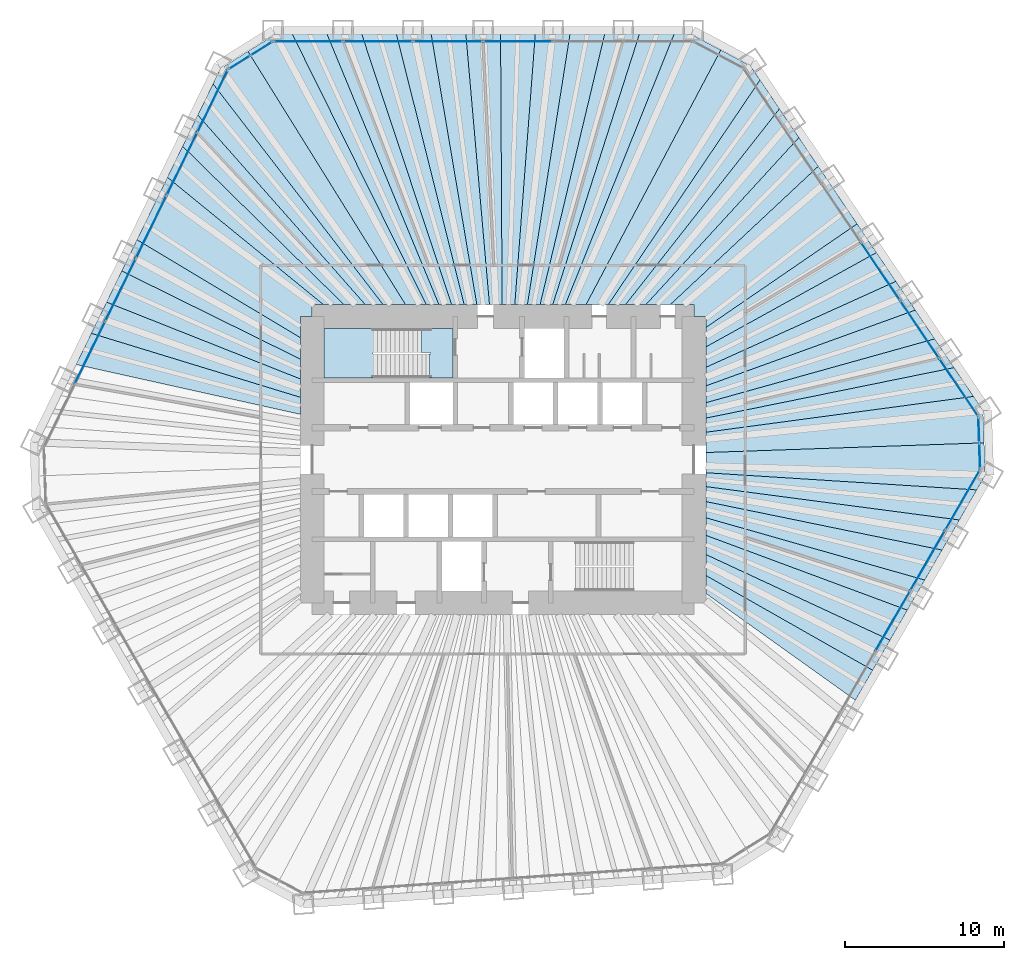
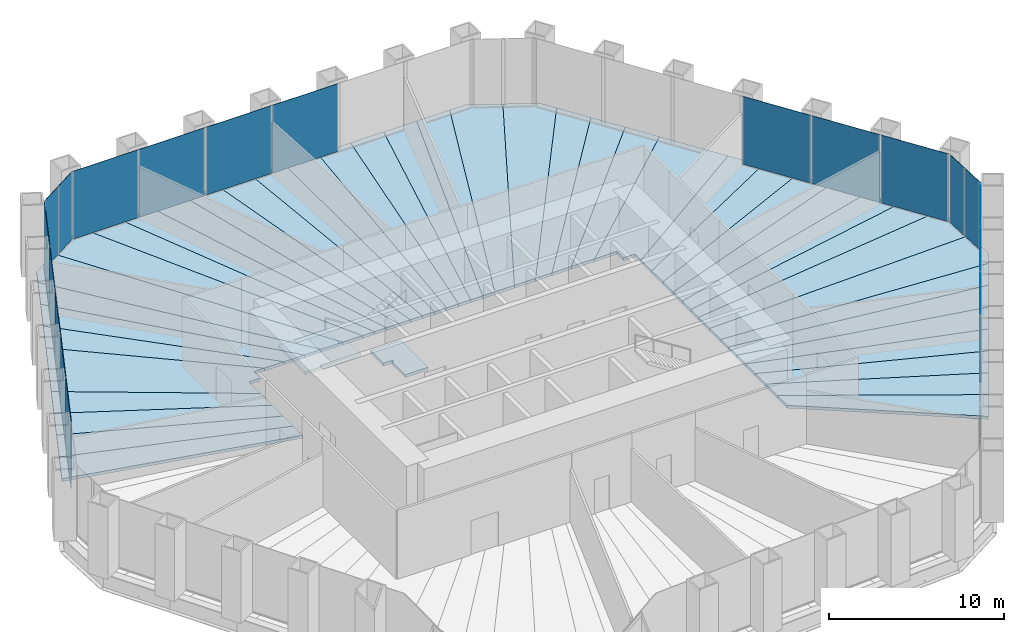
# One storey, part 9 of 13: 44 slabs, 19 plates, 7 elements without a shape of their own.
"""IFC4 building model written with IfcOpenShell, lengths in metres."""

from ifc_helpers import new_model, si_unit, direction, frame, origin, origin_2d, place, context, subcontext, project, spatial, polyline, rectangle, outline, extrude, material, layer, layer_set, type_object, element, aggregate, save


model = new_model("IFC4")

# Units and contexts
model_context = context("Model", 3, precision=1e-05, world=origin(), true_north=direction((0.0, 1.0)))
body_context = subcontext(model_context, "Body", "Model", "MODEL_VIEW")
ifc_project = project(units=[si_unit("LENGTHUNIT", "METRE"), si_unit("AREAUNIT", "SQUARE_METRE"), si_unit("VOLUMEUNIT", "CUBIC_METRE"), si_unit("PLANEANGLEUNIT", "RADIAN"), si_unit("MASSUNIT", "GRAM", prefix="KILO")], contexts=[model_context])

# Site, building, storey
site_placement = place(None, origin())
site = spatial("IfcSite", under=ifc_project, at=site_placement, CompositionType="ELEMENT")
building_placement = place(site_placement, origin())
building = spatial("IfcBuilding", under=site, at=building_placement, Name="Qingtian Harvest Tower", CompositionType="ELEMENT")
storey_placement = place(building_placement, frame((0.0, 0.0, 32.0)))
storey = spatial("IfcBuildingStorey", under=building, at=storey_placement, Name="L06", CompositionType="ELEMENT", Elevation=32.0)

# Slabs
ifc_material_1 = material(Name="Concrete fc' 35 MPa", Category="concrete")
ifc_layer_1 = layer(ifc_material_1, 0.199951171875)
ifc_layer_set_1 = layer_set([ifc_layer_1], Name="Composite floor slab FS20 200")
slab_type_1 = type_object("IfcSlabType", Name="Composite floor slab FS20 200", PredefinedType="FLOOR", material=ifc_layer_set_1)
slab_1_placement = place(storey_placement, frame((0.0, 0.0, -0.199951171875)))
element("IfcSlab", 1, at=slab_1_placement, inside=storey, type_object=slab_type_1, Name="Floor slab L06 panel D32", PredefinedType="FLOOR", context=body_context, shape_type="SweptSolid", body=[
    extrude(outline(polyline([(12.75, -7.279052734375), (23.247802734375, -13.243408203125), (22.159423828125, -15.128662109375), (12.75, -8.4091796875), (12.75, -7.279052734375)])), origin(), (0.0, 0.0, 1.0), 0.199951171875),
])
slab_2_placement = place(storey_placement, frame((0.0, 0.0, -0.199951171875)))
element("IfcSlab", 2, at=slab_2_placement, inside=storey, type_object=slab_type_1, Name="Floor slab L06 panel D33", PredefinedType="FLOOR", context=body_context, shape_type="SweptSolid", body=[
    extrude(outline(polyline([(12.75, -5.96142578125), (24.339111328125, -11.353515625), (23.247802734375, -13.243408203125), (12.75, -7.279052734375), (12.75, -5.96142578125)])), origin(), (0.0, 0.0, 1.0), 0.199951171875),
])
slab_3_placement = place(storey_placement, frame((0.0, 0.0, -0.199951171875)))
element("IfcSlab", 3, at=slab_3_placement, inside=storey, type_object=slab_type_1, Name="Floor slab L06 panel D34", PredefinedType="FLOOR", context=body_context, shape_type="SweptSolid", body=[
    extrude(outline(polyline([(12.75, -4.757080078125), (25.43017578125, -9.46337890625), (24.339111328125, -11.353515625), (12.75, -5.96142578125), (12.75, -4.757080078125)])), origin(), (0.0, 0.0, 1.0), 0.199951171875),
])
slab_4_placement = place(storey_placement, frame((0.0, 0.0, -0.199951171875)))
element("IfcSlab", 4, at=slab_4_placement, inside=storey, type_object=slab_type_1, Name="Floor slab L06 panel D35", PredefinedType="FLOOR", context=body_context, shape_type="SweptSolid", body=[
    extrude(outline(polyline([(12.75, -3.651611328125), (26.521484375, -7.573486328125), (25.43017578125, -9.46337890625), (12.75, -4.757080078125), (12.75, -3.651611328125)])), origin(), (0.0, 0.0, 1.0), 0.199951171875),
])
slab_5_placement = place(storey_placement, frame((0.0, 0.0, -0.199951171875)))
element("IfcSlab", 5, at=slab_5_placement, inside=storey, type_object=slab_type_1, Name="Floor slab L06 panel D36", PredefinedType="FLOOR", context=body_context, shape_type="SweptSolid", body=[
    extrude(outline(polyline([(12.75, -2.634033203125), (27.612548828125, -5.68359375), (26.521484375, -7.573486328125), (12.75, -3.651611328125), (12.75, -2.634033203125)])), origin(), (0.0, 0.0, 1.0), 0.199951171875),
])
slab_6_placement = place(storey_placement, frame((0.0, 0.0, -0.199951171875)))
element("IfcSlab", 6, at=slab_6_placement, inside=storey, type_object=slab_type_1, Name="Floor slab L06 panel D37", PredefinedType="FLOOR", context=body_context, shape_type="SweptSolid", body=[
    extrude(outline(polyline([(12.75, -1.693603515625), (28.703857421875, -3.793701171875), (27.612548828125, -5.68359375), (12.75, -2.634033203125), (12.75, -1.693603515625)])), origin(), (0.0, 0.0, 1.0), 0.199951171875),
])
slab_7_placement = place(storey_placement, frame((0.0, 0.0, -0.199951171875)))
element("IfcSlab", 7, at=slab_7_placement, inside=storey, type_object=slab_type_1, Name="Floor slab L06 panel D38", PredefinedType="FLOOR", context=body_context, shape_type="SweptSolid", body=[
    extrude(outline(polyline([(12.75, -0.822265625), (29.794921875, -1.903564453125), (28.703857421875, -3.793701171875), (12.75, -1.693603515625), (12.75, -0.822265625)])), origin(), (0.0, 0.0, 1.0), 0.199951171875),
])
slab_8_placement = place(storey_placement, frame((0.0, 0.0, -0.199951171875)))
element("IfcSlab", 8, at=slab_8_placement, inside=storey, type_object=slab_type_1, Name="Floor slab L06 panel D39", PredefinedType="FLOOR", context=body_context, shape_type="SweptSolid", body=[
    extrude(outline(polyline([(12.75, -0.822265625), (12.75, 0.447265625), (30.2587890625, 1.056640625), (30.32958984375, -0.9775390625), (29.794921875, -1.903564453125), (12.75, -0.822265625)])), origin(), (0.0, 0.0, 1.0), 0.199951171875),
])
slab_9_placement = place(storey_placement, frame((0.0, 0.0, -0.199951171875)))
element("IfcSlab", 9, at=slab_9_placement, inside=storey, type_object=slab_type_1, Name="Floor slab L06 panel D40", PredefinedType="FLOOR", context=body_context, shape_type="SweptSolid", body=[
    extrude(outline(polyline([(12.75, 0.447265625), (12.75, 1.72265625), (29.589599609375, 3.977294921875), (30.187744140625, 3.0908203125), (30.2587890625, 1.056640625), (12.75, 0.447265625)])), origin(), (0.0, 0.0, 1.0), 0.199951171875),
])
slab_10_placement = place(storey_placement, frame((0.0, 0.0, -0.199951171875)))
element("IfcSlab", 10, at=slab_10_placement, inside=storey, type_object=slab_type_1, Name="Floor slab L06 panel D41", PredefinedType="FLOOR", context=body_context, shape_type="SweptSolid", body=[
    extrude(outline(polyline([(12.75, 2.610595703125), (28.369140625, 5.78662109375), (29.589599609375, 3.977294921875), (12.75, 1.72265625), (12.75, 2.610595703125)])), origin(), (0.0, 0.0, 1.0), 0.199951171875),
])
slab_11_placement = place(storey_placement, frame((0.0, 0.0, -0.199951171875)))
element("IfcSlab", 11, at=slab_11_placement, inside=storey, type_object=slab_type_1, Name="Floor slab L06 panel D42", PredefinedType="FLOOR", context=body_context, shape_type="SweptSolid", body=[
    extrude(outline(polyline([(12.75, 3.57861328125), (27.14892578125, 7.595947265625), (28.369140625, 5.78662109375), (12.75, 2.610595703125), (12.75, 3.57861328125)])), origin(), (0.0, 0.0, 1.0), 0.199951171875),
])
slab_12_placement = place(storey_placement, frame((0.0, 0.0, -0.199951171875)))
element("IfcSlab", 12, at=slab_12_placement, inside=storey, type_object=slab_type_1, Name="Floor slab L06 panel D43", PredefinedType="FLOOR", context=body_context, shape_type="SweptSolid", body=[
    extrude(outline(polyline([(12.75, 4.6376953125), (25.928466796875, 9.405029296875), (27.14892578125, 7.595947265625), (12.75, 3.57861328125), (12.75, 4.6376953125)])), origin(), (0.0, 0.0, 1.0), 0.199951171875),
])
slab_13_placement = place(storey_placement, frame((0.0, 0.0, -0.199951171875)))
element("IfcSlab", 13, at=slab_13_placement, inside=storey, type_object=slab_type_1, Name="Floor slab L06 panel D44", PredefinedType="FLOOR", context=body_context, shape_type="SweptSolid", body=[
    extrude(outline(polyline([(12.75, 5.8017578125), (24.708251953125, 11.21435546875), (25.928466796875, 9.405029296875), (12.75, 4.6376953125), (12.75, 5.8017578125)])), origin(), (0.0, 0.0, 1.0), 0.199951171875),
])
slab_14_placement = place(storey_placement, frame((0.0, 0.0, -0.199951171875)))
element("IfcSlab", 14, at=slab_14_placement, inside=storey, type_object=slab_type_1, Name="Floor slab L06 panel D45", PredefinedType="FLOOR", context=body_context, shape_type="SweptSolid", body=[
    extrude(outline(polyline([(12.75, 7.087158203125), (23.48779296875, 13.023681640625), (24.708251953125, 11.21435546875), (12.75, 5.8017578125), (12.75, 7.087158203125)])), origin(), (0.0, 0.0, 1.0), 0.199951171875),
])
slab_15_placement = place(storey_placement, frame((0.0, 0.0, -0.199951171875)))
element("IfcSlab", 15, at=slab_15_placement, inside=storey, type_object=slab_type_1, Name="Floor slab L06 panel D46", PredefinedType="FLOOR", context=body_context, shape_type="SweptSolid", body=[
    extrude(outline(polyline([(12.75, 8.30615234375), (22.26953125, 14.829833984375), (23.48779296875, 13.023681640625), (12.75, 7.087158203125), (12.75, 8.30615234375)])), origin(), (0.0, 0.0, 1.0), 0.199951171875),
])
slab_16_placement = place(storey_placement, frame((0.0, 0.0, -0.199951171875)))
element("IfcSlab", 16, at=slab_16_placement, inside=storey, type_object=slab_type_1, Name="Floor slab L06 panel D48", PredefinedType="FLOOR", context=body_context, shape_type="SweptSolid", body=[
    extrude(outline(polyline([(19.8271484375, 18.45068359375), (22.26953125, 14.829833984375), (12.75, 8.30615234375), (12.75, 9.0), (12.0, 9.0), (12.0, 9.75), (10.51806640625, 9.75), (19.8271484375, 18.45068359375)])), origin(), (0.0, 0.0, 1.0), 0.199951171875),
])
slab_17_placement = place(storey_placement, frame((0.0, 0.0, -0.199951171875)))
element("IfcSlab", 17, at=slab_17_placement, inside=storey, type_object=slab_type_1, Name="Floor slab L06 panel D49", PredefinedType="FLOOR", context=body_context, shape_type="SweptSolid", body=[
    extrude(outline(polyline([(8.985107421875, 9.75), (18.60693359375, 20.260009765625), (19.8271484375, 18.45068359375), (10.51806640625, 9.75), (8.985107421875, 9.75)])), origin(), (0.0, 0.0, 1.0), 0.199951171875),
])
slab_18_placement = place(storey_placement, frame((0.0, 0.0, -0.199951171875)))
element("IfcSlab", 18, at=slab_18_placement, inside=storey, type_object=slab_type_1, Name="Floor slab L06 panel D50", PredefinedType="FLOOR", context=body_context, shape_type="SweptSolid", body=[
    extrude(outline(polyline([(7.705078125, 9.75), (17.386474609375, 22.0693359375), (18.60693359375, 20.260009765625), (8.985107421875, 9.75), (7.705078125, 9.75)])), origin(), (0.0, 0.0, 1.0), 0.199951171875),
])
slab_19_placement = place(storey_placement, frame((0.0, 0.0, -0.199951171875)))
element("IfcSlab", 19, at=slab_19_placement, inside=storey, type_object=slab_type_1, Name="Floor slab L06 panel D51", PredefinedType="FLOOR", context=body_context, shape_type="SweptSolid", body=[
    extrude(outline(polyline([(6.61962890625, 9.75), (16.166015625, 23.87841796875), (17.386474609375, 22.0693359375), (7.705078125, 9.75), (6.61962890625, 9.75)])), origin(), (0.0, 0.0, 1.0), 0.199951171875),
])
slab_20_placement = place(storey_placement, frame((0.0, 0.0, -0.199951171875)))
element("IfcSlab", 20, at=slab_20_placement, inside=storey, type_object=slab_type_1, Name="Floor slab L06 panel D52", PredefinedType="FLOOR", context=body_context, shape_type="SweptSolid", body=[
    extrude(outline(polyline([(6.61962890625, 9.75), (5.21875, 9.75), (13.697265625, 25.760009765625), (15.56787109375, 24.765380859375), (16.166015625, 23.87841796875), (6.61962890625, 9.75)])), origin(), (0.0, 0.0, 1.0), 0.199951171875),
])
slab_21_placement = place(storey_placement, frame((0.0, 0.0, -0.199951171875)))
element("IfcSlab", 21, at=slab_21_placement, inside=storey, type_object=slab_type_1, Name="Floor slab L06 panel D53", PredefinedType="FLOOR", context=body_context, shape_type="SweptSolid", body=[
    extrude(outline(polyline([(3.919921875, 9.75), (10.756591796875, 26.7548828125), (11.825927734375, 26.7548828125), (13.697265625, 25.760009765625), (5.21875, 9.75), (3.919921875, 9.75)])), origin(), (0.0, 0.0, 1.0), 0.199951171875),
])
slab_22_placement = place(storey_placement, frame((0.0, 0.0, -0.199951171875)))
element("IfcSlab", 22, at=slab_22_placement, inside=storey, type_object=slab_type_1, Name="Floor slab L06 panel D54", PredefinedType="FLOOR", context=body_context, shape_type="SweptSolid", body=[
    extrude(outline(polyline([(3.12451171875, 9.75), (8.57421875, 26.7548828125), (10.756591796875, 26.7548828125), (3.919921875, 9.75), (3.12451171875, 9.75)])), origin(), (0.0, 0.0, 1.0), 0.199951171875),
])
slab_23_placement = place(storey_placement, frame((0.0, 0.0, -0.199951171875)))
element("IfcSlab", 23, at=slab_23_placement, inside=storey, type_object=slab_type_1, Name="Floor slab L06 panel D55", PredefinedType="FLOOR", context=body_context, shape_type="SweptSolid", body=[
    extrude(outline(polyline([(2.329345703125, 9.75), (6.391845703125, 26.7548828125), (8.57421875, 26.7548828125), (3.12451171875, 9.75), (2.329345703125, 9.75)])), origin(), (0.0, 0.0, 1.0), 0.199951171875),
])
slab_24_placement = place(storey_placement, frame((0.0, 0.0, -0.199951171875)))
element("IfcSlab", 24, at=slab_24_placement, inside=storey, type_object=slab_type_1, Name="Floor slab L06 panel D56", PredefinedType="FLOOR", context=body_context, shape_type="SweptSolid", body=[
    extrude(outline(polyline([(1.533935546875, 9.75), (4.20947265625, 26.7548828125), (6.391845703125, 26.7548828125), (2.329345703125, 9.75), (1.533935546875, 9.75)])), origin(), (0.0, 0.0, 1.0), 0.199951171875),
])
slab_25_placement = place(storey_placement, frame((0.0, 0.0, -0.199951171875)))
element("IfcSlab", 25, at=slab_25_placement, inside=storey, type_object=slab_type_1, Name="Floor slab L06 panel D57", PredefinedType="FLOOR", context=body_context, shape_type="SweptSolid", body=[
    extrude(outline(polyline([(0.73876953125, 9.75), (2.02734375, 26.7548828125), (4.20947265625, 26.7548828125), (1.533935546875, 9.75), (0.73876953125, 9.75)])), origin(), (0.0, 0.0, 1.0), 0.199951171875),
])
slab_26_placement = place(storey_placement, frame((0.0, 0.0, -0.199951171875)))
element("IfcSlab", 26, at=slab_26_placement, inside=storey, type_object=slab_type_1, Name="Floor slab L06 panel D58", PredefinedType="FLOOR", context=body_context, shape_type="SweptSolid", body=[
    extrude(outline(polyline([(-0.056396484375, 9.75), (-0.155029296875, 26.7548828125), (2.02734375, 26.7548828125), (0.73876953125, 9.75), (-0.056396484375, 9.75)])), origin(), (0.0, 0.0, 1.0), 0.199951171875),
])
slab_27_placement = place(storey_placement, frame((0.0, 0.0, -0.199951171875)))
element("IfcSlab", 27, at=slab_27_placement, inside=storey, type_object=slab_type_1, Name="Floor slab L06 panel D59", PredefinedType="FLOOR", context=body_context, shape_type="SweptSolid", body=[
    extrude(outline(polyline([(-0.851806640625, 9.75), (-2.33740234375, 26.7548828125), (-0.155029296875, 26.7548828125), (-0.056396484375, 9.75), (-0.851806640625, 9.75)])), origin(), (0.0, 0.0, 1.0), 0.199951171875),
])
slab_28_placement = place(storey_placement, frame((0.0, 0.0, -0.199951171875)))
element("IfcSlab", 28, at=slab_28_placement, inside=storey, type_object=slab_type_1, Name="Floor slab L06 panel D60", PredefinedType="FLOOR", context=body_context, shape_type="SweptSolid", body=[
    extrude(outline(polyline([(-1.64697265625, 9.75), (-4.519775390625, 26.7548828125), (-2.33740234375, 26.7548828125), (-0.851806640625, 9.75), (-1.64697265625, 9.75)])), origin(), (0.0, 0.0, 1.0), 0.199951171875),
])
slab_29_placement = place(storey_placement, frame((0.0, 0.0, -0.199951171875)))
element("IfcSlab", 29, at=slab_29_placement, inside=storey, type_object=slab_type_1, Name="Floor slab L06 panel D61", PredefinedType="FLOOR", context=body_context, shape_type="SweptSolid", body=[
    extrude(outline(polyline([(-2.4423828125, 9.75), (-6.7021484375, 26.7548828125), (-4.519775390625, 26.7548828125), (-1.64697265625, 9.75), (-2.4423828125, 9.75)])), origin(), (0.0, 0.0, 1.0), 0.199951171875),
])
slab_30_placement = place(storey_placement, frame((0.0, 0.0, -0.199951171875)))
element("IfcSlab", 30, at=slab_30_placement, inside=storey, type_object=slab_type_1, Name="Floor slab L06 panel D62", PredefinedType="FLOOR", context=body_context, shape_type="SweptSolid", body=[
    extrude(outline(polyline([(-3.237548828125, 9.75), (-8.88427734375, 26.7548828125), (-6.7021484375, 26.7548828125), (-2.4423828125, 9.75), (-3.237548828125, 9.75)])), origin(), (0.0, 0.0, 1.0), 0.199951171875),
])
slab_31_placement = place(storey_placement, frame((0.0, 0.0, -0.199951171875)))
element("IfcSlab", 31, at=slab_31_placement, inside=storey, type_object=slab_type_1, Name="Floor slab L06 panel D63", PredefinedType="FLOOR", context=body_context, shape_type="SweptSolid", body=[
    extrude(outline(polyline([(-4.032958984375, 9.75), (-11.066650390625, 26.7548828125), (-8.88427734375, 26.7548828125), (-3.237548828125, 9.75), (-4.032958984375, 9.75)])), origin(), (0.0, 0.0, 1.0), 0.199951171875),
])
slab_32_placement = place(storey_placement, frame((0.0, 0.0, -0.199951171875)))
element("IfcSlab", 32, at=slab_32_placement, inside=storey, type_object=slab_type_1, Name="Floor slab L06 panel D64", PredefinedType="FLOOR", context=body_context, shape_type="SweptSolid", body=[
    extrude(outline(polyline([(-4.828125, 9.75), (-13.2490234375, 26.7548828125), (-11.066650390625, 26.7548828125), (-4.032958984375, 9.75), (-4.828125, 9.75)])), origin(), (0.0, 0.0, 1.0), 0.199951171875),
])
slab_33_placement = place(storey_placement, frame((0.0, 0.0, -0.199951171875)))
element("IfcSlab", 33, at=slab_33_placement, inside=storey, type_object=slab_type_1, Name="Floor slab L06 panel D65", PredefinedType="FLOOR", context=body_context, shape_type="SweptSolid", body=[
    extrude(outline(polyline([(-4.828125, 9.75), (-6.130126953125, 9.75), (-16.044921875, 25.67626953125), (-14.318359375, 26.7548828125), (-13.2490234375, 26.7548828125), (-4.828125, 9.75)])), origin(), (0.0, 0.0, 1.0), 0.199951171875),
])
slab_34_placement = place(storey_placement, frame((0.0, 0.0, -0.199951171875)))
element("IfcSlab", 34, at=slab_34_placement, inside=storey, type_object=slab_type_1, Name="Floor slab L06 panel D66", PredefinedType="FLOOR", context=body_context, shape_type="SweptSolid", body=[
    extrude(outline(polyline([(-6.130126953125, 9.75), (-7.544677734375, 9.75), (-18.239501953125, 23.636474609375), (-17.7705078125, 24.597900390625), (-16.044921875, 25.67626953125), (-6.130126953125, 9.75)])), origin(), (0.0, 0.0, 1.0), 0.199951171875),
])
slab_35_placement = place(storey_placement, frame((0.0, 0.0, -0.199951171875)))
element("IfcSlab", 35, at=slab_35_placement, inside=storey, type_object=slab_type_1, Name="Floor slab L06 panel D67", PredefinedType="FLOOR", context=body_context, shape_type="SweptSolid", body=[
    extrude(outline(polyline([(-8.662109375, 9.75), (-19.196044921875, 21.675048828125), (-18.239501953125, 23.636474609375), (-7.544677734375, 9.75), (-8.662109375, 9.75)])), origin(), (0.0, 0.0, 1.0), 0.199951171875),
])
slab_36_placement = place(storey_placement, frame((0.0, 0.0, -0.199951171875)))
element("IfcSlab", 36, at=slab_36_placement, inside=storey, type_object=slab_type_1, Name="Floor slab L06 panel D68", PredefinedType="FLOOR", context=body_context, shape_type="SweptSolid", body=[
    extrude(outline(polyline([(-10.00341796875, 9.75), (-20.15283203125, 19.71337890625), (-19.196044921875, 21.675048828125), (-8.662109375, 9.75), (-10.00341796875, 9.75)])), origin(), (0.0, 0.0, 1.0), 0.199951171875),
])
slab_37_placement = place(storey_placement, frame((0.0, 0.0, -0.199951171875)))
element("IfcSlab", 37, at=slab_37_placement, inside=storey, type_object=slab_type_1, Name="Floor slab L06 panel D69", PredefinedType="FLOOR", context=body_context, shape_type="SweptSolid", body=[
    extrude(outline(polyline([(-11.2939453125, 9.75), (-21.107666015625, 17.755859375), (-20.15283203125, 19.71337890625), (-10.00341796875, 9.75), (-11.2939453125, 9.75)])), origin(), (0.0, 0.0, 1.0), 0.199951171875),
])
slab_38_placement = place(storey_placement, frame((0.0, 0.0, -0.199951171875)))
element("IfcSlab", 38, at=slab_38_placement, inside=storey, type_object=slab_type_1, Name="Floor slab L06 panel D70", PredefinedType="FLOOR", context=body_context, shape_type="SweptSolid", body=[
    extrude(outline(polyline([(-12.0, 9.0), (-12.75, 9.0), (-12.75, 7.67333984375), (-23.0224609375, 13.82958984375), (-21.107666015625, 17.755859375), (-11.2939453125, 9.75), (-12.0, 9.75), (-12.0, 9.0)])), origin(), (0.0, 0.0, 1.0), 0.199951171875),
])
slab_39_placement = place(storey_placement, frame((0.0, 0.0, -0.199951171875)))
element("IfcSlab", 39, at=slab_39_placement, inside=storey, type_object=slab_type_1, Name="Floor slab L06 panel D72", PredefinedType="FLOOR", context=body_context, shape_type="SweptSolid", body=[
    extrude(outline(polyline([(-12.75, 6.3232421875), (-23.979248046875, 11.8681640625), (-23.0224609375, 13.82958984375), (-12.75, 7.67333984375), (-12.75, 6.3232421875)])), origin(), (0.0, 0.0, 1.0), 0.199951171875),
])
slab_40_placement = place(storey_placement, frame((0.0, 0.0, -0.199951171875)))
element("IfcSlab", 40, at=slab_40_placement, inside=storey, type_object=slab_type_1, Name="Floor slab L06 panel D73", PredefinedType="FLOOR", context=body_context, shape_type="SweptSolid", body=[
    extrude(outline(polyline([(-12.75, 5.076904296875), (-24.935791015625, 9.90673828125), (-23.979248046875, 11.8681640625), (-12.75, 6.3232421875), (-12.75, 5.076904296875)])), origin(), (0.0, 0.0, 1.0), 0.199951171875),
])
slab_41_placement = place(storey_placement, frame((0.0, 0.0, -0.199951171875)))
element("IfcSlab", 41, at=slab_41_placement, inside=storey, type_object=slab_type_1, Name="Floor slab L06 panel D74", PredefinedType="FLOOR", context=body_context, shape_type="SweptSolid", body=[
    extrude(outline(polyline([(-12.75, 3.922607421875), (-25.892578125, 7.9453125), (-24.935791015625, 9.90673828125), (-12.75, 5.076904296875), (-12.75, 3.922607421875)])), origin(), (0.0, 0.0, 1.0), 0.199951171875),
])
slab_42_placement = place(storey_placement, frame((0.0, 0.0, -0.199951171875)))
element("IfcSlab", 42, at=slab_42_placement, inside=storey, type_object=slab_type_1, Name="Floor slab L06 panel D75", PredefinedType="FLOOR", context=body_context, shape_type="SweptSolid", body=[
    extrude(outline(polyline([(-12.75, 2.8505859375), (-26.84912109375, 5.98388671875), (-25.892578125, 7.9453125), (-12.75, 3.922607421875), (-12.75, 2.8505859375)])), origin(), (0.0, 0.0, 1.0), 0.199951171875),
])

# Curtain wall, plates
ifc_material_2 = material(Name="Bronze-anodised aluminium curtain wall", Category="aluminium")
curtain_wall_type = type_object("IfcCurtainWallType", Name="Curtain wall CW2 farm reception", PredefinedType="USERDEFINED", material=ifc_material_2)
curtain_wall_1_placement = place(storey_placement, origin())
curtain_wall_1 = element("IfcCurtainWall", 43, at=curtain_wall_1_placement, inside=storey, type_object=curtain_wall_type, Name="Curtain wall CW2 L06 N0-5", ObjectType="RECESSED CURTAIN WALL", PredefinedType="USERDEFINED")
ifc_material_3 = material(Name="Bronze-tinted laminated insulating glass", Category="glass")
ifc_layer_2 = layer(ifc_material_3, 0.030029296875)
ifc_layer_set_2 = layer_set([ifc_layer_2], Name="Glazed panel CWP tinted IGU")
plate_type = type_object("IfcPlateType", Name="Glazed panel CWP tinted IGU", PredefinedType="CURTAIN_PANEL", material=ifc_layer_set_2)
plate_1_placement = place(storey_placement, frame((-12.2529296875, 26.300048828125, 0.06494140625), z_axis=(0.0, 0.0, 1.0), x_axis=(1.0, 0.0, 0.0)))
plate_1 = element("IfcPlate", 44, at=plate_1_placement, type_object=plate_type, Name="CW2 panel 1.1", PredefinedType="CURTAIN_PANEL", context=body_context, shape_type="SweptSolid", body=[
    extrude(rectangle(XDim=4.30712890625, YDim=0.030029296875, at=origin_2d()), origin(), (0.0, 0.0, 1.0), 4.735107421875),
])
plate_2_placement = place(storey_placement, frame((-7.864501953125, 26.300048828125, 0.06494140625), z_axis=(0.0, 0.0, 1.0), x_axis=(1.0, 0.0, 0.0)))
plate_2 = element("IfcPlate", 45, at=plate_2_placement, type_object=plate_type, Name="CW2 panel 2.1", PredefinedType="CURTAIN_PANEL", context=body_context, shape_type="SweptSolid", body=[
    extrude(rectangle(XDim=4.339599609375, YDim=0.030029296875, at=origin_2d()), origin(), (0.0, 0.0, 1.0), 4.735107421875),
])
plate_3_placement = place(storey_placement, frame((-3.4599609375, 26.300048828125, 0.06494140625), z_axis=(0.0, 0.0, 1.0), x_axis=(1.0, 0.0, 0.0)))
plate_3 = element("IfcPlate", 46, at=plate_3_placement, type_object=plate_type, Name="CW2 panel 3.1", PredefinedType="CURTAIN_PANEL", context=body_context, shape_type="SweptSolid", body=[
    extrude(rectangle(XDim=4.339599609375, YDim=0.030029296875, at=origin_2d()), origin(), (0.0, 0.0, 1.0), 4.735107421875),
])
plate_4_placement = place(storey_placement, frame((0.944580078125, 26.300048828125, 0.06494140625), z_axis=(0.0, 0.0, 1.0), x_axis=(1.0, 0.0, 0.0)))
plate_4 = element("IfcPlate", 47, at=plate_4_placement, type_object=plate_type, Name="CW2 panel 4.1", PredefinedType="CURTAIN_PANEL", context=body_context, shape_type="SweptSolid", body=[
    extrude(rectangle(XDim=4.339599609375, YDim=0.030029296875, at=origin_2d()), origin(), (0.0, 0.0, 1.0), 4.735107421875),
])
aggregate(curtain_wall_1, [plate_1, plate_2, plate_3, plate_4])

curtain_wall_2_placement = place(storey_placement, origin())
curtain_wall_2 = element("IfcCurtainWall", 48, at=curtain_wall_2_placement, inside=storey, type_object=curtain_wall_type, Name="Curtain wall CW2 L06 NE0-5", ObjectType="RECESSED CURTAIN WALL", PredefinedType="USERDEFINED")
plate_5_placement = place(storey_placement, frame((23.738525390625, 11.83837890625, 0.06494140625), z_axis=(0.0, 0.0, 1.0), x_axis=(0.559192903471, -0.829037572555, 0.0)))
plate_5 = element("IfcPlate", 49, at=plate_5_placement, type_object=plate_type, Name="CW2 panel 4.1", PredefinedType="CURTAIN_PANEL", context=body_context, shape_type="SweptSolid", body=[
    extrude(rectangle(XDim=4.339599609375, YDim=0.030029296875, at=origin_2d()), origin(), (0.0, 0.0, 1.0), 4.735107421875),
])
plate_6_placement = place(storey_placement, frame((26.201416015625, 8.186767578125, 0.06494140625), z_axis=(0.0, 0.0, 1.0), x_axis=(0.559192903471, -0.829037572555, 0.0)))
plate_6 = element("IfcPlate", 50, at=plate_6_placement, type_object=plate_type, Name="CW2 panel 5.1", PredefinedType="CURTAIN_PANEL", context=body_context, shape_type="SweptSolid", body=[
    extrude(rectangle(XDim=4.339599609375, YDim=0.030029296875, at=origin_2d()), origin(), (0.0, 0.0, 1.0), 4.735107421875),
])
plate_7_placement = place(storey_placement, frame((28.655517578125, 4.548583984375, 0.06494140625), z_axis=(0.0, 0.0, 1.0), x_axis=(0.559192903471, -0.829037572555, 0.0)))
plate_7 = element("IfcPlate", 51, at=plate_7_placement, type_object=plate_type, Name="CW2 panel 6.1", PredefinedType="CURTAIN_PANEL", context=body_context, shape_type="SweptSolid", body=[
    extrude(rectangle(XDim=4.30712890625, YDim=0.030029296875, at=origin_2d()), origin(), (0.0, 0.0, 1.0), 4.735107421875),
])
aggregate(curtain_wall_2, [plate_5, plate_6, plate_7])

curtain_wall_3_placement = place(storey_placement, origin())
curtain_wall_3 = element("IfcCurtainWall", 52, at=curtain_wall_3_placement, inside=storey, type_object=curtain_wall_type, Name="Curtain wall CW2 L06 NEC", ObjectType="RECESSED CURTAIN WALL", PredefinedType="USERDEFINED")
plate_8_placement = place(storey_placement, frame((29.925537109375, 1.861572265625, 0.06494140625), z_axis=(0.0, 0.0, 1.0), x_axis=(0.034899496703, -0.999390827019, 0.0)))
plate_8 = element("IfcPlate", 53, at=plate_8_placement, type_object=plate_type, Name="CW2 panel 1.1", PredefinedType="CURTAIN_PANEL", context=body_context, shape_type="SweptSolid", body=[
    extrude(rectangle(XDim=1.56689453125, YDim=0.030029296875, at=origin_2d()), origin(), (0.0, 0.0, 1.0), 4.735107421875),
])
plate_9_placement = place(storey_placement, frame((29.982666015625, 0.23046875, 0.06494140625), z_axis=(0.0, 0.0, 1.0), x_axis=(0.034899496703, -0.999390827019, 0.0)))
plate_9 = element("IfcPlate", 54, at=plate_9_placement, type_object=plate_type, Name="CW2 panel 2.1", PredefinedType="CURTAIN_PANEL", context=body_context, shape_type="SweptSolid", body=[
    extrude(rectangle(XDim=1.56689453125, YDim=0.030029296875, at=origin_2d()), origin(), (0.0, 0.0, 1.0), 4.735107421875),
])
aggregate(curtain_wall_3, [plate_8, plate_9])

curtain_wall_4_placement = place(storey_placement, origin())
curtain_wall_4 = element("IfcCurtainWall", 55, at=curtain_wall_4_placement, inside=storey, type_object=curtain_wall_type, Name="Curtain wall CW2 L06 SE0-5", ObjectType="RECESSED CURTAIN WALL", PredefinedType="USERDEFINED")
plate_10_placement = place(storey_placement, frame((28.90283203125, -2.53857421875, 0.06494140625), z_axis=(0.0, 0.0, 1.0), x_axis=(-0.5, -0.866025403784, 0.0)))
plate_10 = element("IfcPlate", 56, at=plate_10_placement, type_object=plate_type, Name="CW2 panel 1.1", PredefinedType="CURTAIN_PANEL", context=body_context, shape_type="SweptSolid", body=[
    extrude(rectangle(XDim=4.30712890625, YDim=0.030029296875, at=origin_2d()), origin(), (0.0, 0.0, 1.0), 4.735107421875),
])
plate_11_placement = place(storey_placement, frame((26.708740234375, -6.339111328125, 0.06494140625), z_axis=(0.0, 0.0, 1.0), x_axis=(-0.5, -0.866025403784, 0.0)))
plate_11 = element("IfcPlate", 57, at=plate_11_placement, type_object=plate_type, Name="CW2 panel 2.1", PredefinedType="CURTAIN_PANEL", context=body_context, shape_type="SweptSolid", body=[
    extrude(rectangle(XDim=4.339599609375, YDim=0.030029296875, at=origin_2d()), origin(), (0.0, 0.0, 1.0), 4.735107421875),
])
plate_12_placement = place(storey_placement, frame((24.50634765625, -10.153564453125, 0.06494140625), z_axis=(0.0, 0.0, 1.0), x_axis=(-0.5, -0.866025403784, 0.0)))
plate_12 = element("IfcPlate", 58, at=plate_12_placement, type_object=plate_type, Name="CW2 panel 3.1", PredefinedType="CURTAIN_PANEL", context=body_context, shape_type="SweptSolid", body=[
    extrude(rectangle(XDim=4.339599609375, YDim=0.030029296875, at=origin_2d()), origin(), (0.0, 0.0, 1.0), 4.735107421875),
])
aggregate(curtain_wall_4, [plate_10, plate_11, plate_12])

curtain_wall_5_placement = place(storey_placement, origin())
curtain_wall_5 = element("IfcCurtainWall", 59, at=curtain_wall_5_placement, inside=storey, type_object=curtain_wall_type, Name="Curtain wall CW2 L06 NW0-5", ObjectType="RECESSED CURTAIN WALL", PredefinedType="USERDEFINED")
plate_13_placement = place(storey_placement, frame((-25.983154296875, 6.72119140625, 0.06494140625), z_axis=(0.0, 0.0, 1.0), x_axis=(0.438371146789, 0.898794046299, 0.0)))
plate_13 = element("IfcPlate", 60, at=plate_13_placement, type_object=plate_type, Name="CW2 panel 2.1", PredefinedType="CURTAIN_PANEL", context=body_context, shape_type="SweptSolid", body=[
    extrude(rectangle(XDim=4.339599609375, YDim=0.030029296875, at=origin_2d()), origin(), (0.0, 0.0, 1.0), 4.735107421875),
])
plate_14_placement = place(storey_placement, frame((-24.052490234375, 10.68017578125, 0.06494140625), z_axis=(0.0, 0.0, 1.0), x_axis=(0.438371146789, 0.898794046299, 0.0)))
plate_14 = element("IfcPlate", 61, at=plate_14_placement, type_object=plate_type, Name="CW2 panel 3.1", PredefinedType="CURTAIN_PANEL", context=body_context, shape_type="SweptSolid", body=[
    extrude(rectangle(XDim=4.339599609375, YDim=0.030029296875, at=origin_2d()), origin(), (0.0, 0.0, 1.0), 4.735107421875),
])
plate_15_placement = place(storey_placement, frame((-22.12158203125, 14.638916015625, 0.06494140625), z_axis=(0.0, 0.0, 1.0), x_axis=(0.438371146789, 0.898794046299, 0.0)))
plate_15 = element("IfcPlate", 62, at=plate_15_placement, type_object=plate_type, Name="CW2 panel 4.1", PredefinedType="CURTAIN_PANEL", context=body_context, shape_type="SweptSolid", body=[
    extrude(rectangle(XDim=4.339599609375, YDim=0.030029296875, at=origin_2d()), origin(), (0.0, 0.0, 1.0), 4.735107421875),
])
plate_16_placement = place(storey_placement, frame((-20.190673828125, 18.597900390625, 0.06494140625), z_axis=(0.0, 0.0, 1.0), x_axis=(0.438371146789, 0.898794046299, 0.0)))
plate_16 = element("IfcPlate", 63, at=plate_16_placement, type_object=plate_type, Name="CW2 panel 5.1", PredefinedType="CURTAIN_PANEL", context=body_context, shape_type="SweptSolid", body=[
    extrude(rectangle(XDim=4.339599609375, YDim=0.030029296875, at=origin_2d()), origin(), (0.0, 0.0, 1.0), 4.735107421875),
])
plate_17_placement = place(storey_placement, frame((-18.266845703125, 22.5419921875, 0.06494140625), z_axis=(0.0, 0.0, 1.0), x_axis=(0.438371146789, 0.898794046299, 0.0)))
plate_17 = element("IfcPlate", 64, at=plate_17_placement, type_object=plate_type, Name="CW2 panel 6.1", PredefinedType="CURTAIN_PANEL", context=body_context, shape_type="SweptSolid", body=[
    extrude(rectangle(XDim=4.30712890625, YDim=0.030029296875, at=origin_2d()), origin(), (0.0, 0.0, 1.0), 4.735107421875),
])
aggregate(curtain_wall_5, [plate_13, plate_14, plate_15, plate_16, plate_17])

curtain_wall_6_placement = place(storey_placement, origin())
curtain_wall_6 = element("IfcCurtainWall", 65, at=curtain_wall_6_placement, inside=storey, type_object=curtain_wall_type, Name="Curtain wall CW2 L06 NWC", ObjectType="RECESSED CURTAIN WALL", PredefinedType="USERDEFINED")
plate_18_placement = place(storey_placement, frame((-16.574951171875, 24.985595703125, 0.06494140625), z_axis=(0.0, 0.0, 1.0), x_axis=(0.848048096156, 0.529919264233, 0.0)))
plate_18 = element("IfcPlate", 66, at=plate_18_placement, type_object=plate_type, Name="CW2 panel 1.1", PredefinedType="CURTAIN_PANEL", context=body_context, shape_type="SweptSolid", body=[
    extrude(rectangle(XDim=1.56689453125, YDim=0.030029296875, at=origin_2d()), origin(), (0.0, 0.0, 1.0), 4.735107421875),
])
plate_19_placement = place(storey_placement, frame((-15.19091796875, 25.850341796875, 0.06494140625), z_axis=(0.0, 0.0, 1.0), x_axis=(0.848048096156, 0.529919264233, 0.0)))
plate_19 = element("IfcPlate", 67, at=plate_19_placement, type_object=plate_type, Name="CW2 panel 2.1", PredefinedType="CURTAIN_PANEL", context=body_context, shape_type="SweptSolid", body=[
    extrude(rectangle(XDim=1.56689453125, YDim=0.030029296875, at=origin_2d()), origin(), (0.0, 0.0, 1.0), 4.735107421875),
])
aggregate(curtain_wall_6, [plate_18, plate_19])

# Stair, slabs
ifc_material_4 = material(Name="Concrete fc' 35 MPa", Category="concrete")
stair_type = type_object("IfcStairType", Name="Special stair ST2 5000", PredefinedType="HALF_TURN_STAIR", material=ifc_material_4)
stair_placement = place(storey_placement, origin())
stair = element("IfcStair", 68, at=stair_placement, inside=storey, type_object=stair_type, Name="Special stair S1 L06", PredefinedType="HALF_TURN_STAIR")
ifc_material_5 = material(Name="Concrete fc' 35 MPa", Category="concrete")
ifc_layer_3 = layer(ifc_material_5, 0.199951171875)
ifc_layer_set_3 = layer_set([ifc_layer_3], Name="Stair landing SL2 200")
slab_type_2 = type_object("IfcSlabType", Name="Stair landing SL2 200", PredefinedType="LANDING", material=ifc_layer_set_3)
slab_43_placement = place(storey_placement, frame((0.0, 0.0, -0.199951171875)))
slab_43 = element("IfcSlab", 69, at=slab_43_placement, type_object=slab_type_2, Name="S1 landing 1", PredefinedType="LANDING", context=body_context, shape_type="SweptSolid", body=[
    extrude(outline(polyline([(-4.64990234375, 5.14990234375), (-4.64990234375, 6.64990234375), (-4.550048828125, 6.64990234375), (-4.550048828125, 6.75), (-5.155029296875, 6.75), (-5.155029296875, 8.25), (-3.14990234375, 8.25), (-3.14990234375, 5.14990234375), (-4.64990234375, 5.14990234375)])), origin(), (0.0, 0.0, 1.0), 0.199951171875),
])
slab_44_placement = place(storey_placement, frame((0.0, 0.0, 2.300048828125)))
slab_44 = element("IfcSlab", 70, at=slab_44_placement, type_object=slab_type_2, Name="S1 landing 2", PredefinedType="LANDING", context=body_context, shape_type="SweptSolid", body=[
    extrude(outline(polyline([(-7.5849609375, 5.14990234375), (-11.25, 5.14990234375), (-11.25, 8.25), (-8.090087890625, 8.25), (-8.090087890625, 6.75), (-8.18994140625, 6.75), (-8.18994140625, 6.64990234375), (-7.5849609375, 6.64990234375), (-7.5849609375, 5.14990234375)])), origin(), (0.0, 0.0, 1.0), 0.199951171875),
])
aggregate(stair, [slab_43, slab_44])

save(model, "model.ifc")
